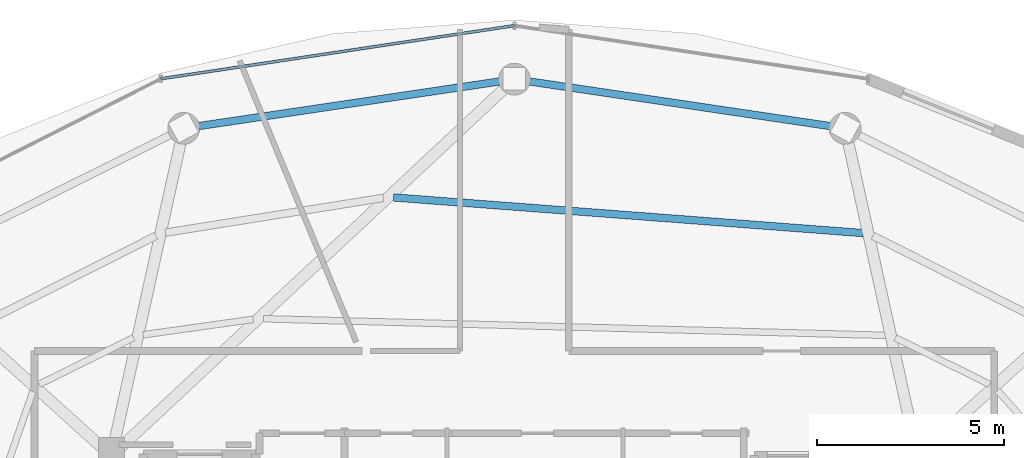
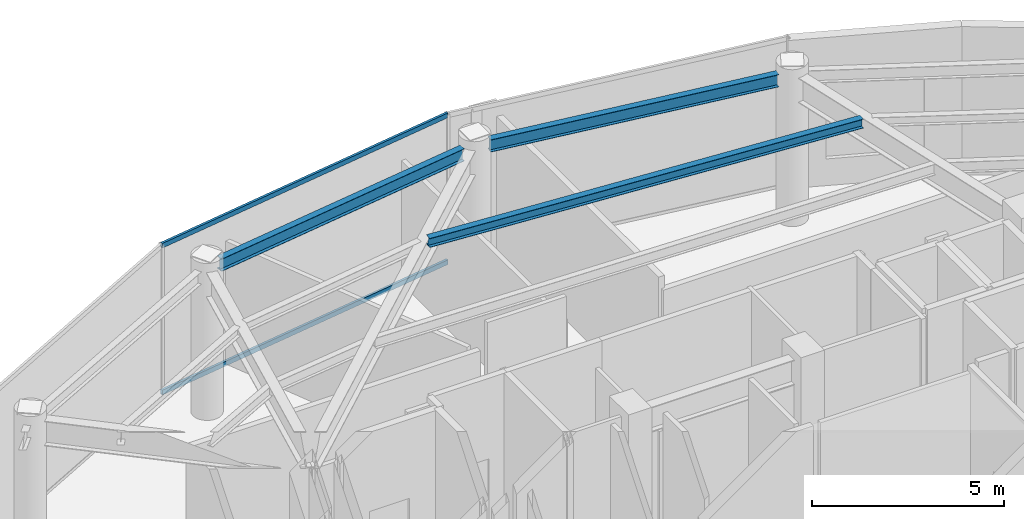
# One storey, part 17 of 24: 3 beams, 2 members, 1 element without a shape of its own.
"""IFC4 building model written with IfcOpenShell, lengths in metres."""

from ifc_helpers import new_model, si_unit, direction, frame, origin, origin_2d, place, context, subcontext, project, spatial, hollow_rectangle, i_section, extrude, material, material_profile, profile_set, type_object, element, aggregate, save


model = new_model("IFC4")

# Units and contexts
model_context = context("Model", 3, precision=1e-05, world=origin(), true_north=direction((0.0, 1.0)))
body_context = subcontext(model_context, "Body", "Model", "MODEL_VIEW")
ifc_project = project(units=[si_unit("LENGTHUNIT", "METRE"), si_unit("AREAUNIT", "SQUARE_METRE"), si_unit("VOLUMEUNIT", "CUBIC_METRE"), si_unit("PLANEANGLEUNIT", "RADIAN"), si_unit("MASSUNIT", "GRAM", prefix="KILO")], contexts=[model_context])

# Site, building, storey
site_placement = place(None, origin())
site = spatial("IfcSite", under=ifc_project, at=site_placement, CompositionType="ELEMENT")
building_placement = place(site_placement, origin())
building = spatial("IfcBuilding", under=site, at=building_placement, Name="Vorneva Point Tower", CompositionType="ELEMENT")
storey_placement = place(building_placement, frame((0.0, 0.0, 290.39990234375)))
storey = spatial("IfcBuildingStorey", under=building, at=storey_placement, Name="L78", CompositionType="ELEMENT", Elevation=290.39990234375)

# Beams
ifc_material_1 = material(Name="Steel S355", Category="steel")
ifc_material_profile_1 = material_profile(ifc_material_1, i_section(OverallWidth=0.199951171875, OverallDepth=0.291015625, WebThickness=0.008056640625, FlangeThickness=0.010986328125, at=origin_2d()), Name="30Sh1")
ifc_profile_set_1 = profile_set([ifc_material_profile_1], Name="Steel S355")
beam_type_1 = type_object("IfcBeamType", Name="BM-SEC-30Sh1", PredefinedType="BEAM", material=ifc_profile_set_1)
beam_placement = place(storey_placement, frame((47.30224609375, 39.09619140625, 4.57470703125), z_axis=(-0.997132387184, 0.075676961014, 0.0), x_axis=(-0.075676961014, -0.997132387184, 0.0)))
element("IfcBeam", 1, at=beam_placement, inside=storey, type_object=beam_type_1, Name="L78 Secondary Floor Beam 1.04", PredefinedType="BEAM", context=body_context, shape_type="SweptSolid", body=[
    extrude(i_section(OverallWidth=0.199951171875, OverallDepth=0.291015625, WebThickness=0.008056640625, FlangeThickness=0.010986328125, at=origin_2d()), origin(), (0.0, 0.0, 1.0), 12.5625),
])
ifc_material_profile_2 = material_profile(ifc_material_1, i_section(OverallWidth=0.198974609375, OverallDepth=0.39599609375, WebThickness=0.007080078125, FlangeThickness=0.010986328125, at=origin_2d()), Name="40B1")
ifc_profile_set_2 = profile_set([ifc_material_profile_2], Name="Steel S355")
beam_type_2 = type_object("IfcBeamType", Name="BM-SPN-40B1", PredefinedType="SPANDREL", material=ifc_profile_set_2)
for number, where, z_axis, x_axis, name in (
    (2, (46.415283203125, 41.950927734375, 4.522216796875), (-0.989161657331, 0.146830567886, 0.0), (-0.146830567886, -0.989161657331, 0.0), "L78 Perimeter Spandrel Ring Beam 04"),
    (3, (37.594482421875, 43.139892578125, 4.522216796875), (-0.989161657331, -0.146830567886, 0.0), (0.146830567886, -0.989161657331, 0.0), "L78 Perimeter Spandrel Ring Beam 05"),
):
    element("IfcBeam", number, at=place(storey_placement, frame(where, z_axis=z_axis, x_axis=x_axis)), inside=storey, type_object=beam_type_2, Name=name, PredefinedType="SPANDREL", context=body_context, shape_type="SweptSolid", body=[
        extrude(i_section(OverallWidth=0.198974609375, OverallDepth=0.39599609375, WebThickness=0.007080078125, FlangeThickness=0.010986328125, at=origin_2d()), origin(), (0.0, 0.0, 1.0), 8.097412109375),
    ])

# Curtain wall, members
ifc_material_2 = material(Name="Pale anodised aluminium", Category="aluminium")
curtain_wall_type = type_object("IfcCurtainWallType", Name="CW-OBS-SYS", PredefinedType="NOTDEFINED", material=ifc_material_2)
curtain_wall_placement = place(storey_placement, origin())
curtain_wall = element("IfcCurtainWall", 4, at=curtain_wall_placement, inside=storey, type_object=curtain_wall_type, Name="L78 Unitised Curtain Wall CW-L78-R02", PredefinedType="NOTDEFINED")
ifc_material_profile_3 = material_profile(ifc_material_2, hollow_rectangle(XDim=0.074951171875, YDim=0.14990234375, WallThickness=0.00390625, at=origin_2d()), Name="AL-TRN 150x75x4")
ifc_profile_set_3 = profile_set([ifc_material_profile_3], Name="Pale anodised aluminium")
member_type = type_object("IfcMemberType", Name="CW-TRN-150", PredefinedType="USERDEFINED", material=ifc_profile_set_3)
member_1_placement = place(storey_placement, frame((38.0, 44.6298828125, 0.02001953125), z_axis=(-0.988890123612, -0.148648321288, 0.0), x_axis=(0.148648321288, -0.988890123612, 0.0)))
member_1 = element("IfcMember", 5, at=member_1_placement, type_object=member_type, Name="CW-L78-R02 Transom 02.1", ObjectType="TRANSOM", PredefinedType="USERDEFINED", context=body_context, shape_type="SweptSolid", body=[
    extrude(hollow_rectangle(XDim=0.074951171875, YDim=0.14990234375, WallThickness=0.00390625, at=origin_2d()), origin(), (0.0, 0.0, 1.0), 9.5390625),
])
member_2_placement = place(storey_placement, frame((38.0, 44.6298828125, 4.7001953125), z_axis=(-0.988890123612, -0.148648321288, 0.0), x_axis=(0.148648321288, -0.988890123612, 0.0)))
member_2 = element("IfcMember", 6, at=member_2_placement, type_object=member_type, Name="CW-L78-R02 Transom 02.2", ObjectType="TRANSOM", PredefinedType="USERDEFINED", context=body_context, shape_type="SweptSolid", body=[
    extrude(hollow_rectangle(XDim=0.074951171875, YDim=0.14990234375, WallThickness=0.00390625, at=origin_2d()), origin(), (0.0, 0.0, 1.0), 9.5390625),
])
aggregate(curtain_wall, [member_1, member_2])

save(model, "model.ifc")
